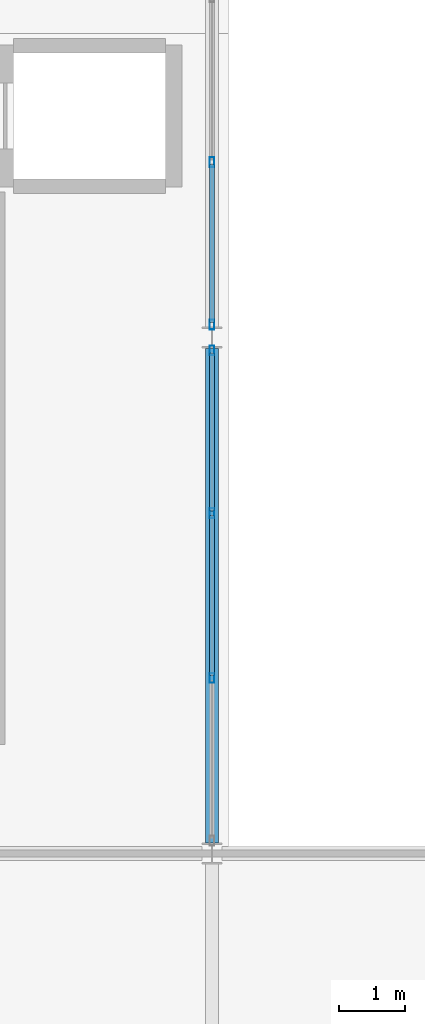
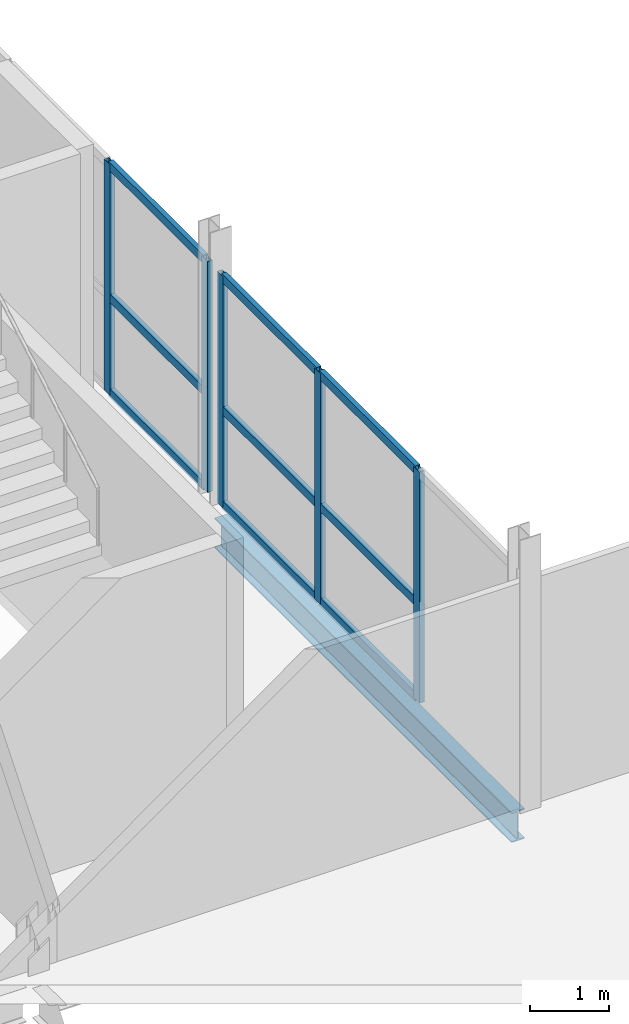
# One storey, part 9 of 60: 14 members, 1 beam, 2 elements without a shape of their own.
"""IFC4 building model written with IfcOpenShell, lengths in metres."""

from ifc_helpers import new_model, si_unit, direction, frame, origin, origin_2d, place, context, subcontext, project, spatial, hollow_rectangle, i_section, extrude, material, layer, layer_set, material_profile, profile_set, type_object, element, aggregate, save


model = new_model("IFC4")

# Units and contexts
model_context = context("Model", 3, precision=1e-05, world=origin(), true_north=direction((0.0, 1.0)))
body_context = subcontext(model_context, "Body", "Model", "MODEL_VIEW")
ifc_project = project(units=[si_unit("LENGTHUNIT", "METRE"), si_unit("AREAUNIT", "SQUARE_METRE"), si_unit("VOLUMEUNIT", "CUBIC_METRE"), si_unit("PLANEANGLEUNIT", "RADIAN"), si_unit("MASSUNIT", "GRAM", prefix="KILO")], contexts=[model_context])

# Site, building, storey
site_placement = place(None, origin())
site = spatial("IfcSite", under=ifc_project, at=site_placement, CompositionType="ELEMENT")
building_placement = place(site_placement, origin())
building = spatial("IfcBuilding", under=site, at=building_placement, Name="Quillay Park Conservatory", CompositionType="ELEMENT")
storey_placement = place(building_placement, frame((0.0, 0.0, 9.89990234375)))
storey = spatial("IfcBuildingStorey", under=building, at=storey_placement, Name="L02", CompositionType="ELEMENT", Elevation=9.89990234375)

# Curtain wall, members
ifc_material_1 = material(Name="Thermally Broken Anodised Aluminium 6063-T6", Category="aluminium")
ifc_layer = layer(ifc_material_1, 0.1650390625)
ifc_layer_set = layer_set([ifc_layer], Name="UNITISED CURTAIN WALL PODIUM (Thermally Broken Anodised Aluminium 6063-T6)")
curtain_wall_type = type_object("IfcCurtainWallType", Name="UNITISED CURTAIN WALL PODIUM", PredefinedType="USERDEFINED", material=ifc_layer_set)
curtain_wall_1_placement = place(storey_placement, origin())
curtain_wall_1 = element("IfcCurtainWall", 1, at=curtain_wall_1_placement, inside=storey, type_object=curtain_wall_type, Name="L02 Unitised Curtain Wall 205", ObjectType="UNITISED CURTAIN WALL", PredefinedType="USERDEFINED")
ifc_material_2 = material(Name="Thermally Broken Anodised Aluminium 6063-T6", Category="aluminium")
ifc_material_profile_1 = material_profile(ifc_material_2, hollow_rectangle(XDim=0.070068359375, YDim=0.14990234375, WallThickness=0.00341796875, at=origin_2d()), Name="AL70x150x3.5")
ifc_profile_set_1 = profile_set([ifc_material_profile_1], Name="Thermally Broken Anodised Aluminium 6063-T6")
member_type_1 = type_object("IfcMemberType", Name="CURTAIN WALL MULLION 70 X150", PredefinedType="MULLION", material=ifc_profile_set_1)
member_1_placement = place(storey_placement, frame((22.14990234375, 23.205078125, 0.0), z_axis=(0.0, 0.0, 1.0), x_axis=(1.0, 0.0, 0.0)))
member_1 = element("IfcMember", 2, at=member_1_placement, type_object=member_type_1, Name="CW-P1 mullion 1", PredefinedType="MULLION", context=body_context, shape_type="SweptSolid", body=[
    extrude(hollow_rectangle(XDim=0.070068359375, YDim=0.14990234375, WallThickness=0.00341796875, at=origin_2d()), origin(), (0.0, 0.0, 1.0), 3.55419921875),
])
member_2_placement = place(storey_placement, frame((22.14990234375, 20.74658203125, 0.0), z_axis=(0.0, 0.0, 1.0), x_axis=(1.0, 0.0, 0.0)))
member_2 = element("IfcMember", 3, at=member_2_placement, type_object=member_type_1, Name="CW-P1 mullion 2", PredefinedType="MULLION", context=body_context, shape_type="SweptSolid", body=[
    extrude(hollow_rectangle(XDim=0.070068359375, YDim=0.14990234375, WallThickness=0.00341796875, at=origin_2d()), origin(), (0.0, 0.0, 1.0), 3.55419921875),
])
member_3_placement = place(storey_placement, frame((22.14990234375, 18.25341796875, 0.0), z_axis=(0.0, 0.0, 1.0), x_axis=(1.0, 0.0, 0.0)))
member_3 = element("IfcMember", 4, at=member_3_placement, type_object=member_type_1, Name="CW-P1 mullion 3", PredefinedType="MULLION", context=body_context, shape_type="SweptSolid", body=[
    extrude(hollow_rectangle(XDim=0.070068359375, YDim=0.14990234375, WallThickness=0.00341796875, at=origin_2d()), origin(), (0.0, 0.0, 1.0), 3.55419921875),
])

curtain_wall_2_placement = place(storey_placement, origin())
curtain_wall_2 = element("IfcCurtainWall", 5, at=curtain_wall_2_placement, inside=storey, type_object=curtain_wall_type, Name="L02 Unitised Curtain Wall 206", ObjectType="UNITISED CURTAIN WALL", PredefinedType="USERDEFINED")
member_4_placement = place(storey_placement, frame((22.14990234375, 26.05322265625, 0.0), z_axis=(0.0, 0.0, 1.0), x_axis=(1.0, 0.0, 0.0)))
member_4 = element("IfcMember", 6, at=member_4_placement, type_object=member_type_1, Name="CW-P1 mullion 3", PredefinedType="MULLION", context=body_context, shape_type="SweptSolid", body=[
    extrude(hollow_rectangle(XDim=0.070068359375, YDim=0.14990234375, WallThickness=0.00341796875, at=origin_2d()), origin(), (0.0, 0.0, 1.0), 3.55419921875),
])
member_5_placement = place(storey_placement, frame((22.14990234375, 23.594970703125, 0.0), z_axis=(0.0, 0.0, 1.0), x_axis=(1.0, 0.0, 0.0)))
member_5 = element("IfcMember", 7, at=member_5_placement, type_object=member_type_1, Name="CW-P1 mullion 4", PredefinedType="MULLION", context=body_context, shape_type="SweptSolid", body=[
    extrude(hollow_rectangle(XDim=0.070068359375, YDim=0.14990234375, WallThickness=0.00341796875, at=origin_2d()), origin(), (0.0, 0.0, 1.0), 3.55419921875),
])

# Member
ifc_material_3 = material(Name="Thermally Broken Anodised Aluminium 6063-T6", Category="aluminium")
ifc_material_profile_2 = material_profile(ifc_material_3, hollow_rectangle(XDim=0.070068359375, YDim=0.1298828125, WallThickness=0.003173828125, at=origin_2d()), Name="AL70x130x3.2")
ifc_profile_set_2 = profile_set([ifc_material_profile_2], Name="Thermally Broken Anodised Aluminium 6063-T6")
member_type_2 = type_object("IfcMemberType", Name="CURTAIN WALL TRANSOM 70 X130", PredefinedType="USERDEFINED", material=ifc_profile_set_2)
member_6_placement = place(storey_placement, frame((22.14990234375, 23.169921875, 0.03515625), z_axis=(0.0, -1.0, 0.0), x_axis=(1.0, 0.0, 0.0)))
member_6 = element("IfcMember", 8, at=member_6_placement, type_object=member_type_2, Name="CW-P1 transom 1.1", ObjectType="TRANSOM", PredefinedType="USERDEFINED", context=body_context, shape_type="SweptSolid", body=[
    extrude(hollow_rectangle(XDim=0.070068359375, YDim=0.1298828125, WallThickness=0.003173828125, at=origin_2d()), origin(), (0.0, 0.0, 1.0), 2.38818359375),
])

member_7_placement = place(storey_placement, frame((22.14990234375, 23.169921875, 1.49267578125), z_axis=(0.0, -1.0, 0.0), x_axis=(1.0, 0.0, 0.0)))
member_7 = element("IfcMember", 9, at=member_7_placement, type_object=member_type_2, Name="CW-P1 transom 1.2", ObjectType="TRANSOM", PredefinedType="USERDEFINED", context=body_context, shape_type="SweptSolid", body=[
    extrude(hollow_rectangle(XDim=0.070068359375, YDim=0.1298828125, WallThickness=0.003173828125, at=origin_2d()), origin(), (0.0, 0.0, 1.0), 2.38818359375),
])

member_8_placement = place(storey_placement, frame((22.14990234375, 23.169921875, 3.51904296875), z_axis=(0.0, -1.0, 0.0), x_axis=(1.0, 0.0, 0.0)))
member_8 = element("IfcMember", 10, at=member_8_placement, type_object=member_type_2, Name="CW-P1 transom 1.3", ObjectType="TRANSOM", PredefinedType="USERDEFINED", context=body_context, shape_type="SweptSolid", body=[
    extrude(hollow_rectangle(XDim=0.070068359375, YDim=0.1298828125, WallThickness=0.003173828125, at=origin_2d()), origin(), (0.0, 0.0, 1.0), 2.38818359375),
])

member_9_placement = place(storey_placement, frame((22.14990234375, 20.711669921875, 0.03515625), z_axis=(0.0, -1.0, 0.0), x_axis=(1.0, 0.0, 0.0)))
member_9 = element("IfcMember", 11, at=member_9_placement, type_object=member_type_2, Name="CW-P1 transom 2.1", ObjectType="TRANSOM", PredefinedType="USERDEFINED", context=body_context, shape_type="SweptSolid", body=[
    extrude(hollow_rectangle(XDim=0.070068359375, YDim=0.1298828125, WallThickness=0.003173828125, at=origin_2d()), origin(), (0.0, 0.0, 1.0), 2.42333984375),
])

member_10_placement = place(storey_placement, frame((22.14990234375, 20.711669921875, 1.49267578125), z_axis=(0.0, -1.0, 0.0), x_axis=(1.0, 0.0, 0.0)))
member_10 = element("IfcMember", 12, at=member_10_placement, type_object=member_type_2, Name="CW-P1 transom 2.2", ObjectType="TRANSOM", PredefinedType="USERDEFINED", context=body_context, shape_type="SweptSolid", body=[
    extrude(hollow_rectangle(XDim=0.070068359375, YDim=0.1298828125, WallThickness=0.003173828125, at=origin_2d()), origin(), (0.0, 0.0, 1.0), 2.42333984375),
])

member_11_placement = place(storey_placement, frame((22.14990234375, 20.711669921875, 3.51904296875), z_axis=(0.0, -1.0, 0.0), x_axis=(1.0, 0.0, 0.0)))
member_11 = element("IfcMember", 13, at=member_11_placement, type_object=member_type_2, Name="CW-P1 transom 2.3", ObjectType="TRANSOM", PredefinedType="USERDEFINED", context=body_context, shape_type="SweptSolid", body=[
    extrude(hollow_rectangle(XDim=0.070068359375, YDim=0.1298828125, WallThickness=0.003173828125, at=origin_2d()), origin(), (0.0, 0.0, 1.0), 2.42333984375),
])

aggregate(curtain_wall_1, [member_1, member_2, member_3, member_6, member_7, member_8, member_9, member_10, member_11])

member_12_placement = place(storey_placement, frame((22.14990234375, 26.018310546875, 0.03515625), z_axis=(0.0, -1.0, 0.0), x_axis=(1.0, 0.0, 0.0)))
member_12 = element("IfcMember", 14, at=member_12_placement, type_object=member_type_2, Name="CW-P1 transom 3.1", ObjectType="TRANSOM", PredefinedType="USERDEFINED", context=body_context, shape_type="SweptSolid", body=[
    extrude(hollow_rectangle(XDim=0.070068359375, YDim=0.1298828125, WallThickness=0.003173828125, at=origin_2d()), origin(), (0.0, 0.0, 1.0), 2.388427734375),
])

member_13_placement = place(storey_placement, frame((22.14990234375, 26.018310546875, 1.49267578125), z_axis=(0.0, -1.0, 0.0), x_axis=(1.0, 0.0, 0.0)))
member_13 = element("IfcMember", 15, at=member_13_placement, type_object=member_type_2, Name="CW-P1 transom 3.2", ObjectType="TRANSOM", PredefinedType="USERDEFINED", context=body_context, shape_type="SweptSolid", body=[
    extrude(hollow_rectangle(XDim=0.070068359375, YDim=0.1298828125, WallThickness=0.003173828125, at=origin_2d()), origin(), (0.0, 0.0, 1.0), 2.388427734375),
])

member_14_placement = place(storey_placement, frame((22.14990234375, 26.018310546875, 3.51904296875), z_axis=(0.0, -1.0, 0.0), x_axis=(1.0, 0.0, 0.0)))
member_14 = element("IfcMember", 16, at=member_14_placement, type_object=member_type_2, Name="CW-P1 transom 3.3", ObjectType="TRANSOM", PredefinedType="USERDEFINED", context=body_context, shape_type="SweptSolid", body=[
    extrude(hollow_rectangle(XDim=0.070068359375, YDim=0.1298828125, WallThickness=0.003173828125, at=origin_2d()), origin(), (0.0, 0.0, 1.0), 2.388427734375),
])

aggregate(curtain_wall_2, [member_4, member_5, member_12, member_13, member_14])

# Beam
ifc_material_4 = material(Name="Steel ASTM A992 Grade 50", Category="steel")
ifc_material_profile_3 = material_profile(ifc_material_4, i_section(OverallWidth=0.19189453125, OverallDepth=0.462890625, WebThickness=0.010498046875, FlangeThickness=0.017578125, FilletRadius=0.012939453125, at=origin_2d()), Name="W460x89")
ifc_profile_set_3 = profile_set([ifc_material_profile_3], Name="Steel ASTM A992 Grade 50")
beam_type = type_object("IfcBeamType", Name="PRIMARY FLOOR GIRDER W460 X89", PredefinedType="BEAM", material=ifc_profile_set_3)
beam_placement = place(storey_placement, frame((22.14990234375, 15.761474609375, -0.426513671875), z_axis=(0.0, 1.0, 0.0), x_axis=(-1.0, 0.0, 0.0)))
element("IfcBeam", 17, at=beam_placement, inside=storey, type_object=beam_type, Name="L02 beam BM-V3Y-1373", PredefinedType="BEAM", context=body_context, shape_type="SweptSolid", body=[
    extrude(i_section(OverallWidth=0.19189453125, OverallDepth=0.462890625, WebThickness=0.010498046875, FlangeThickness=0.017578125, FilletRadius=0.012939453125, at=origin_2d()), origin(), (0.0, 0.0, 1.0), 7.47705078125),
])

save(model, "model.ifc")
